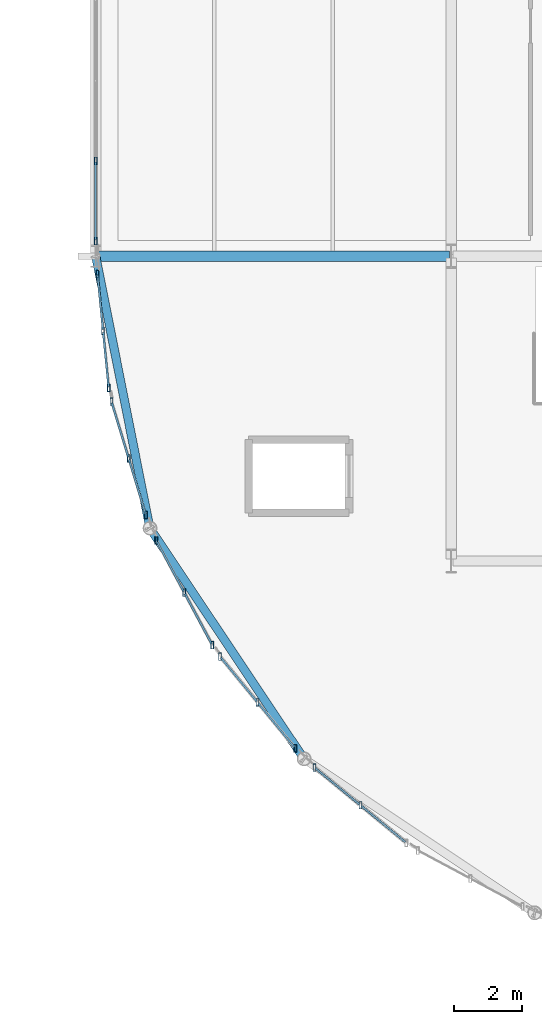
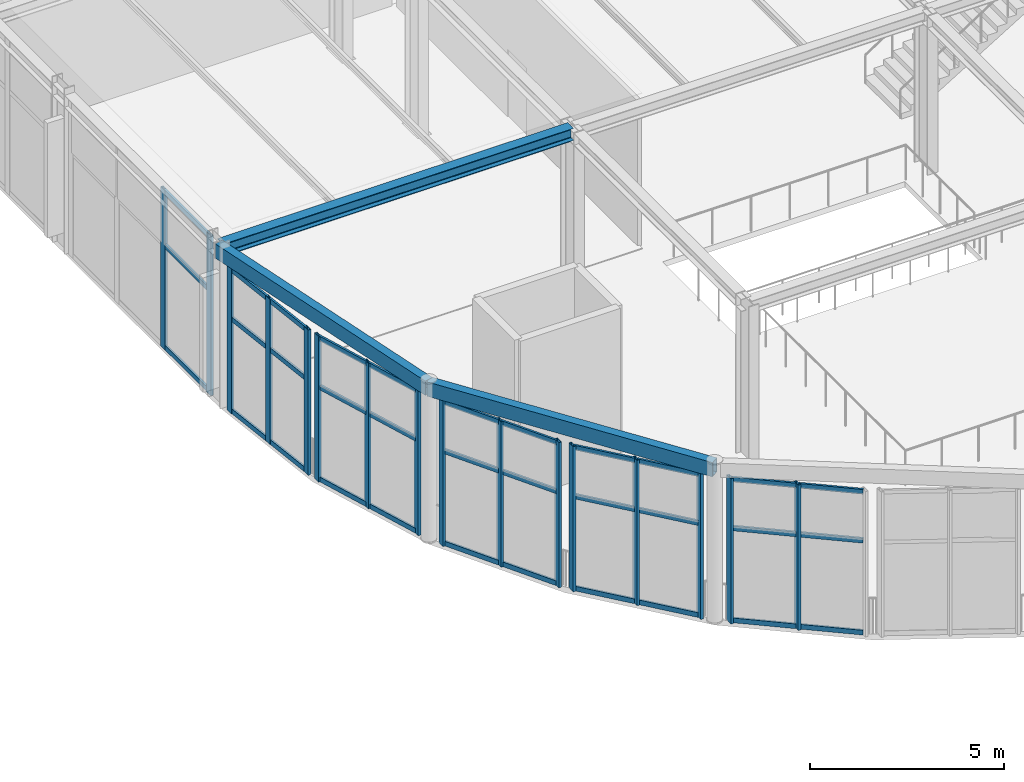
# One storey, part 21 of 195: 49 members, 3 beams, 6 elements without a shape of their own.
"""IFC4 building model written with IfcOpenShell, lengths in metres."""

from ifc_helpers import new_model, si_unit, direction, frame, origin, origin_2d, place, context, subcontext, project, spatial, hollow_rectangle, i_section, extrude, material, layer, layer_set, material_profile, profile_set, type_object, element, aggregate, save


model = new_model("IFC4")

# Units and contexts
model_context = context("Model", 3, precision=1e-05, world=origin(), true_north=direction((0.0, 1.0)))
body_context = subcontext(model_context, "Body", "Model", "MODEL_VIEW")
ifc_project = project(units=[si_unit("LENGTHUNIT", "METRE"), si_unit("AREAUNIT", "SQUARE_METRE"), si_unit("VOLUMEUNIT", "CUBIC_METRE"), si_unit("PLANEANGLEUNIT", "RADIAN"), si_unit("MASSUNIT", "GRAM", prefix="KILO")], contexts=[model_context])

# Site, building, storey
site_placement = place(None, origin())
site = spatial("IfcSite", under=ifc_project, at=site_placement, CompositionType="ELEMENT")
building_placement = place(site_placement, origin())
building = spatial("IfcBuilding", under=site, at=building_placement, Name="Marlcrest Central Station", CompositionType="ELEMENT")
storey_placement = place(building_placement, frame((0.0, 0.0, 9.800048828125)))
storey = spatial("IfcBuildingStorey", under=building, at=storey_placement, Name="L02", CompositionType="ELEMENT", Elevation=9.800048828125)

# Beam
ifc_material_1 = material(Name="Steel S355", Category="steel")
ifc_material_profile_1 = material_profile(ifc_material_1, i_section(OverallWidth=0.300048828125, OverallDepth=0.389892578125, WebThickness=0.010986328125, FlangeThickness=0.01904296875, FilletRadius=0.027099609375, at=origin_2d()), Name="HEA 400")
ifc_profile_set_1 = profile_set([ifc_material_profile_1], Name="Steel S355")
beam_type_1 = type_object("IfcBeamType", Name="BM-08", PredefinedType="BEAM", material=ifc_profile_set_1)
beam_1_placement = place(storey_placement, frame((87.050048828125, 22.5, 4.800048828125), z_axis=(1.0, 0.0, 0.0), x_axis=(0.0, 1.0, 0.0)))
element("IfcBeam", 1, at=beam_1_placement, inside=storey, type_object=beam_type_1, Name="bm-BM-08-L02-01380", PredefinedType="BEAM", context=body_context, shape_type="SweptSolid", body=[
    extrude(i_section(OverallWidth=0.300048828125, OverallDepth=0.389892578125, WebThickness=0.010986328125, FlangeThickness=0.01904296875, FilletRadius=0.027099609375, at=origin_2d()), origin(), (0.0, 0.0, 1.0), 10.39990234375),
])

# Curtain wall, members
ifc_material_2 = material(Name="Anodised aluminium and hurricane laminated glass", Category="aluminium")
ifc_layer = layer(ifc_material_2, 0.219970703125, Name="CW-U1")
ifc_layer_set = layer_set([ifc_layer], Name="Anodised aluminium and hurricane laminated glass")
curtain_wall_type = type_object("IfcCurtainWallType", Name="CW-U1", PredefinedType="USERDEFINED", material=ifc_layer_set)
curtain_wall_1_placement = place(storey_placement, origin())
curtain_wall_1 = element("IfcCurtainWall", 2, at=curtain_wall_1_placement, inside=storey, type_object=curtain_wall_type, Name="cw-L02-0025", ObjectType="UNITISED_CURTAIN_WALL", PredefinedType="USERDEFINED")
ifc_material_3 = material(Name="Anodised aluminium 6063-T6", Category="aluminium")
ifc_material_profile_2 = material_profile(ifc_material_3, hollow_rectangle(XDim=0.080078125, YDim=0.219970703125, WallThickness=0.006103515625, at=origin_2d()), Name="AA-RHS 220x80x6")
ifc_profile_set_2 = profile_set([ifc_material_profile_2], Name="Anodised aluminium 6063-T6")
member_type_1 = type_object("IfcMemberType", Name="ML-01", PredefinedType="MULLION", material=ifc_profile_set_2)
member_1_placement = place(storey_placement, frame((87.3837890625, 18.60791015625, -0.030029296875), z_axis=(0.0, 0.0, 1.0), x_axis=(1.0, 0.0, 0.0)))
member_1 = element("IfcMember", 3, at=member_1_placement, type_object=member_type_1, Name="cw-L02-0025-ml-0", PredefinedType="MULLION", context=body_context, shape_type="SweptSolid", body=[
    extrude(hollow_rectangle(XDim=0.080078125, YDim=0.219970703125, WallThickness=0.006103515625, at=origin_2d()), origin(), (0.0, 0.0, 1.0), 4.56005859375),
])
member_2_placement = place(storey_placement, frame((87.2177734375, 20.292236328125, -0.030029296875), z_axis=(0.0, 0.0, 1.0), x_axis=(1.0, 0.0, 0.0)))
member_2 = element("IfcMember", 4, at=member_2_placement, type_object=member_type_1, Name="cw-L02-0025-ml-1", PredefinedType="MULLION", context=body_context, shape_type="SweptSolid", body=[
    extrude(hollow_rectangle(XDim=0.080078125, YDim=0.219970703125, WallThickness=0.006103515625, at=origin_2d()), origin(), (0.0, 0.0, 1.0), 4.56005859375),
])
member_3_placement = place(storey_placement, frame((87.051513671875, 21.976806640625, -0.030029296875), z_axis=(0.0, 0.0, 1.0), x_axis=(1.0, 0.0, 0.0)))
member_3 = element("IfcMember", 5, at=member_3_placement, type_object=member_type_1, Name="cw-L02-0025-ml-2", PredefinedType="MULLION", context=body_context, shape_type="SweptSolid", body=[
    extrude(hollow_rectangle(XDim=0.080078125, YDim=0.219970703125, WallThickness=0.006103515625, at=origin_2d()), origin(), (0.0, 0.0, 1.0), 4.56005859375),
])

curtain_wall_2_placement = place(storey_placement, origin())
curtain_wall_2 = element("IfcCurtainWall", 6, at=curtain_wall_2_placement, inside=storey, type_object=curtain_wall_type, Name="cw-L02-0026", ObjectType="UNITISED_CURTAIN_WALL", PredefinedType="USERDEFINED")
member_4_placement = place(storey_placement, frame((88.481689453125, 14.8505859375, -0.030029296875), z_axis=(0.0, 0.0, 1.0), x_axis=(1.0, 0.0, 0.0)))
member_4 = element("IfcMember", 7, at=member_4_placement, type_object=member_type_1, Name="cw-L02-0026-ml-0", PredefinedType="MULLION", context=body_context, shape_type="SweptSolid", body=[
    extrude(hollow_rectangle(XDim=0.080078125, YDim=0.219970703125, WallThickness=0.006103515625, at=origin_2d()), origin(), (0.0, 0.0, 1.0), 4.56005859375),
])
member_5_placement = place(storey_placement, frame((87.97265625, 16.5283203125, -0.030029296875), z_axis=(0.0, 0.0, 1.0), x_axis=(1.0, 0.0, 0.0)))
member_5 = element("IfcMember", 8, at=member_5_placement, type_object=member_type_1, Name="cw-L02-0026-ml-1", PredefinedType="MULLION", context=body_context, shape_type="SweptSolid", body=[
    extrude(hollow_rectangle(XDim=0.080078125, YDim=0.219970703125, WallThickness=0.006103515625, at=origin_2d()), origin(), (0.0, 0.0, 1.0), 4.56005859375),
])
member_6_placement = place(storey_placement, frame((87.463623046875, 18.2060546875, -0.030029296875), z_axis=(0.0, 0.0, 1.0), x_axis=(1.0, 0.0, 0.0)))
member_6 = element("IfcMember", 9, at=member_6_placement, type_object=member_type_1, Name="cw-L02-0026-ml-2", PredefinedType="MULLION", context=body_context, shape_type="SweptSolid", body=[
    extrude(hollow_rectangle(XDim=0.080078125, YDim=0.219970703125, WallThickness=0.006103515625, at=origin_2d()), origin(), (0.0, 0.0, 1.0), 4.56005859375),
])

curtain_wall_3_placement = place(storey_placement, origin())
curtain_wall_3 = element("IfcCurtainWall", 10, at=curtain_wall_3_placement, inside=storey, type_object=curtain_wall_type, Name="cw-L02-0027", ObjectType="UNITISED_CURTAIN_WALL", PredefinedType="USERDEFINED")
member_7_placement = place(storey_placement, frame((90.44189453125, 11.014404296875, -0.030029296875), z_axis=(0.0, 0.0, 1.0), x_axis=(1.0, 0.0, 0.0)))
member_7 = element("IfcMember", 11, at=member_7_placement, type_object=member_type_1, Name="cw-L02-0027-ml-0", PredefinedType="MULLION", context=body_context, shape_type="SweptSolid", body=[
    extrude(hollow_rectangle(XDim=0.080078125, YDim=0.219970703125, WallThickness=0.006103515625, at=origin_2d()), origin(), (0.0, 0.0, 1.0), 4.56005859375),
])
member_8_placement = place(storey_placement, frame((89.61572265625, 12.56103515625, -0.030029296875), z_axis=(0.0, 0.0, 1.0), x_axis=(1.0, 0.0, 0.0)))
member_8 = element("IfcMember", 12, at=member_8_placement, type_object=member_type_1, Name="cw-L02-0027-ml-1", PredefinedType="MULLION", context=body_context, shape_type="SweptSolid", body=[
    extrude(hollow_rectangle(XDim=0.080078125, YDim=0.219970703125, WallThickness=0.006103515625, at=origin_2d()), origin(), (0.0, 0.0, 1.0), 4.56005859375),
])
member_9_placement = place(storey_placement, frame((88.789306640625, 14.107666015625, -0.030029296875), z_axis=(0.0, 0.0, 1.0), x_axis=(1.0, 0.0, 0.0)))
member_9 = element("IfcMember", 13, at=member_9_placement, type_object=member_type_1, Name="cw-L02-0027-ml-2", PredefinedType="MULLION", context=body_context, shape_type="SweptSolid", body=[
    extrude(hollow_rectangle(XDim=0.080078125, YDim=0.219970703125, WallThickness=0.006103515625, at=origin_2d()), origin(), (0.0, 0.0, 1.0), 4.56005859375),
])

curtain_wall_4_placement = place(storey_placement, origin())
curtain_wall_4 = element("IfcCurtainWall", 14, at=curtain_wall_4_placement, inside=storey, type_object=curtain_wall_type, Name="cw-L02-0028", ObjectType="UNITISED_CURTAIN_WALL", PredefinedType="USERDEFINED")
member_10_placement = place(storey_placement, frame((92.89453125, 7.96337890625, -0.030029296875), z_axis=(0.0, 0.0, 1.0), x_axis=(1.0, 0.0, 0.0)))
member_10 = element("IfcMember", 15, at=member_10_placement, type_object=member_type_1, Name="cw-L02-0028-ml-0", PredefinedType="MULLION", context=body_context, shape_type="SweptSolid", body=[
    extrude(hollow_rectangle(XDim=0.080078125, YDim=0.219970703125, WallThickness=0.006103515625, at=origin_2d()), origin(), (0.0, 0.0, 1.0), 4.56005859375),
])
member_11_placement = place(storey_placement, frame((91.781982421875, 9.318603515625, -0.030029296875), z_axis=(0.0, 0.0, 1.0), x_axis=(1.0, 0.0, 0.0)))
member_11 = element("IfcMember", 16, at=member_11_placement, type_object=member_type_1, Name="cw-L02-0028-ml-1", PredefinedType="MULLION", context=body_context, shape_type="SweptSolid", body=[
    extrude(hollow_rectangle(XDim=0.080078125, YDim=0.219970703125, WallThickness=0.006103515625, at=origin_2d()), origin(), (0.0, 0.0, 1.0), 4.56005859375),
])
member_12_placement = place(storey_placement, frame((90.669677734375, 10.673828125, -0.030029296875), z_axis=(0.0, 0.0, 1.0), x_axis=(1.0, 0.0, 0.0)))
member_12 = element("IfcMember", 17, at=member_12_placement, type_object=member_type_1, Name="cw-L02-0028-ml-2", PredefinedType="MULLION", context=body_context, shape_type="SweptSolid", body=[
    extrude(hollow_rectangle(XDim=0.080078125, YDim=0.219970703125, WallThickness=0.006103515625, at=origin_2d()), origin(), (0.0, 0.0, 1.0), 4.56005859375),
])

curtain_wall_5_placement = place(storey_placement, origin())
curtain_wall_5 = element("IfcCurtainWall", 18, at=curtain_wall_5_placement, inside=storey, type_object=curtain_wall_type, Name="cw-L02-0029", ObjectType="UNITISED_CURTAIN_WALL", PredefinedType="USERDEFINED")
member_13_placement = place(storey_placement, frame((94.818603515625, 6.281982421875, -0.030029296875), z_axis=(0.0, 0.0, 1.0), x_axis=(1.0, 0.0, 0.0)))
member_13 = element("IfcMember", 19, at=member_13_placement, type_object=member_type_1, Name="cw-L02-0029-ml-1", PredefinedType="MULLION", context=body_context, shape_type="SweptSolid", body=[
    extrude(hollow_rectangle(XDim=0.080078125, YDim=0.219970703125, WallThickness=0.006103515625, at=origin_2d()), origin(), (0.0, 0.0, 1.0), 4.56005859375),
])
member_14_placement = place(storey_placement, frame((93.46337890625, 7.39453125, -0.030029296875), z_axis=(0.0, 0.0, 1.0), x_axis=(1.0, 0.0, 0.0)))
member_14 = element("IfcMember", 20, at=member_14_placement, type_object=member_type_1, Name="cw-L02-0029-ml-2", PredefinedType="MULLION", context=body_context, shape_type="SweptSolid", body=[
    extrude(hollow_rectangle(XDim=0.080078125, YDim=0.219970703125, WallThickness=0.006103515625, at=origin_2d()), origin(), (0.0, 0.0, 1.0), 4.56005859375),
])

curtain_wall_6_placement = place(storey_placement, origin())
curtain_wall_6 = element("IfcCurtainWall", 21, at=curtain_wall_6_placement, inside=storey, type_object=curtain_wall_type, Name="cw-L02-0099", ObjectType="UNITISED_CURTAIN_WALL", PredefinedType="USERDEFINED")
member_15_placement = place(storey_placement, frame((87.0, 22.949951171875, -0.030029296875), z_axis=(0.0, 0.0, 1.0), x_axis=(1.0, 0.0, 0.0)))
member_15 = element("IfcMember", 22, at=member_15_placement, type_object=member_type_1, Name="cw-L02-0099-ml-0", PredefinedType="MULLION", context=body_context, shape_type="SweptSolid", body=[
    extrude(hollow_rectangle(XDim=0.080078125, YDim=0.219970703125, WallThickness=0.006103515625, at=origin_2d()), origin(), (0.0, 0.0, 1.0), 5.010009765625),
])
member_16_placement = place(storey_placement, frame((87.0, 25.316650390625, -0.030029296875), z_axis=(0.0, 0.0, 1.0), x_axis=(1.0, 0.0, 0.0)))
member_16 = element("IfcMember", 23, at=member_16_placement, type_object=member_type_1, Name="cw-L02-0099-ml-1", PredefinedType="MULLION", context=body_context, shape_type="SweptSolid", body=[
    extrude(hollow_rectangle(XDim=0.080078125, YDim=0.219970703125, WallThickness=0.006103515625, at=origin_2d()), origin(), (0.0, 0.0, 1.0), 5.010009765625),
])

# Beams
ifc_material_profile_3 = material_profile(ifc_material_1, hollow_rectangle(XDim=0.25, YDim=0.449951171875, WallThickness=0.01611328125, at=origin_2d()), Name="RHS 450x250x16")
ifc_profile_set_3 = profile_set([ifc_material_profile_3], Name="Steel S355")
beam_type_2 = type_object("IfcBeamType", Name="SP-02", PredefinedType="SPANDREL", material=ifc_profile_set_3)
beam_2_placement = place(storey_placement, frame((87.0, 22.5, 4.77001953125), z_axis=(0.19517056122, -0.980769316421, 0.0), x_axis=(0.980769316421, 0.19517056122, 0.0)))
element("IfcBeam", 24, at=beam_2_placement, inside=storey, type_object=beam_type_2, Name="bm-SP-02-L02-01370", PredefinedType="SPANDREL", context=body_context, shape_type="SweptSolid", body=[
    extrude(hollow_rectangle(XDim=0.25, YDim=0.449951171875, WallThickness=0.01611328125, at=origin_2d()), origin(), (0.0, 0.0, 1.0), 8.193359375),
])
beam_3_placement = place(storey_placement, frame((88.59912109375, 14.464111328125, 4.77001953125), z_axis=(0.55551129271, -0.831508991937, 0.0), x_axis=(0.831508991937, 0.55551129271, 0.0)))
element("IfcBeam", 25, at=beam_3_placement, inside=storey, type_object=beam_type_2, Name="bm-SP-02-L02-01371", PredefinedType="SPANDREL", context=body_context, shape_type="SweptSolid", body=[
    extrude(hollow_rectangle(XDim=0.25, YDim=0.449951171875, WallThickness=0.01611328125, at=origin_2d()), origin(), (0.0, 0.0, 1.0), 8.19384765625),
])

# Member
ifc_material_profile_4 = material_profile(ifc_material_3, hollow_rectangle(XDim=0.06005859375, YDim=0.14990234375, WallThickness=0.00390625, at=origin_2d()), Name="AA-RHS 150x60x4")
ifc_profile_set_4 = profile_set([ifc_material_profile_4], Name="Anodised aluminium 6063-T6")
member_type_2 = type_object("IfcMemberType", Name="TR-01", PredefinedType="USERDEFINED", material=ifc_profile_set_4)
member_17_placement = place(storey_placement, frame((87.380126953125, 18.645751953125, 0.0400390625), z_axis=(-0.098172727839, 0.99516939036, 0.0), x_axis=(-0.99516939036, -0.098172727839, 0.0)))
member_17 = element("IfcMember", 26, at=member_17_placement, type_object=member_type_2, Name="cw-L02-0025-tr-0-sill", ObjectType="TRANSOM", PredefinedType="USERDEFINED", context=body_context, shape_type="SweptSolid", body=[
    extrude(hollow_rectangle(XDim=0.06005859375, YDim=0.14990234375, WallThickness=0.00390625, at=origin_2d()), origin(), (0.0, 0.0, 1.0), 1.616455078125),
])

member_18_placement = place(storey_placement, frame((87.380126953125, 18.645751953125, 2.925048828125), z_axis=(-0.098172727839, 0.99516939036, 0.0), x_axis=(-0.99516939036, -0.098172727839, 0.0)))
member_18 = element("IfcMember", 27, at=member_18_placement, type_object=member_type_2, Name="cw-L02-0025-tr-0-mid", ObjectType="TRANSOM", PredefinedType="USERDEFINED", context=body_context, shape_type="SweptSolid", body=[
    extrude(hollow_rectangle(XDim=0.06005859375, YDim=0.14990234375, WallThickness=0.00390625, at=origin_2d()), origin(), (0.0, 0.0, 1.0), 1.616455078125),
])

member_19_placement = place(storey_placement, frame((87.380126953125, 18.645751953125, 4.4599609375), z_axis=(-0.098172727839, 0.99516939036, 0.0), x_axis=(-0.99516939036, -0.098172727839, 0.0)))
member_19 = element("IfcMember", 28, at=member_19_placement, type_object=member_type_2, Name="cw-L02-0025-tr-0-head", ObjectType="TRANSOM", PredefinedType="USERDEFINED", context=body_context, shape_type="SweptSolid", body=[
    extrude(hollow_rectangle(XDim=0.06005859375, YDim=0.14990234375, WallThickness=0.00390625, at=origin_2d()), origin(), (0.0, 0.0, 1.0), 1.616455078125),
])

member_20_placement = place(storey_placement, frame((87.214111328125, 20.330078125, 0.0400390625), z_axis=(-0.098157974157, 0.995170845689, 0.0), x_axis=(-0.995170845689, -0.098157974157, 0.0)))
member_20 = element("IfcMember", 29, at=member_20_placement, type_object=member_type_2, Name="cw-L02-0025-tr-1-sill", ObjectType="TRANSOM", PredefinedType="USERDEFINED", context=body_context, shape_type="SweptSolid", body=[
    extrude(hollow_rectangle(XDim=0.06005859375, YDim=0.14990234375, WallThickness=0.00390625, at=origin_2d()), origin(), (0.0, 0.0, 1.0), 1.61669921875),
])

member_21_placement = place(storey_placement, frame((87.214111328125, 20.330078125, 2.925048828125), z_axis=(-0.098157974157, 0.995170845689, 0.0), x_axis=(-0.995170845689, -0.098157974157, 0.0)))
member_21 = element("IfcMember", 30, at=member_21_placement, type_object=member_type_2, Name="cw-L02-0025-tr-1-mid", ObjectType="TRANSOM", PredefinedType="USERDEFINED", context=body_context, shape_type="SweptSolid", body=[
    extrude(hollow_rectangle(XDim=0.06005859375, YDim=0.14990234375, WallThickness=0.00390625, at=origin_2d()), origin(), (0.0, 0.0, 1.0), 1.61669921875),
])

member_22_placement = place(storey_placement, frame((87.214111328125, 20.330078125, 4.4599609375), z_axis=(-0.098157974157, 0.995170845689, 0.0), x_axis=(-0.995170845689, -0.098157974157, 0.0)))
member_22 = element("IfcMember", 31, at=member_22_placement, type_object=member_type_2, Name="cw-L02-0025-tr-1-head", ObjectType="TRANSOM", PredefinedType="USERDEFINED", context=body_context, shape_type="SweptSolid", body=[
    extrude(hollow_rectangle(XDim=0.06005859375, YDim=0.14990234375, WallThickness=0.00390625, at=origin_2d()), origin(), (0.0, 0.0, 1.0), 1.61669921875),
])

aggregate(curtain_wall_1, [member_1, member_2, member_3, member_17, member_18, member_19, member_20, member_21, member_22])

member_23_placement = place(storey_placement, frame((88.470703125, 14.886962890625, 0.0400390625), z_axis=(-0.29025787087, 0.95694846695, 0.0), x_axis=(-0.95694846695, -0.29025787087, 0.0)))
member_23 = element("IfcMember", 32, at=member_23_placement, type_object=member_type_2, Name="cw-L02-0026-tr-0-sill", ObjectType="TRANSOM", PredefinedType="USERDEFINED", context=body_context, shape_type="SweptSolid", body=[
    extrude(hollow_rectangle(XDim=0.06005859375, YDim=0.14990234375, WallThickness=0.00390625, at=origin_2d()), origin(), (0.0, 0.0, 1.0), 1.67724609375),
])

member_24_placement = place(storey_placement, frame((88.470703125, 14.886962890625, 2.925048828125), z_axis=(-0.29025787087, 0.95694846695, 0.0), x_axis=(-0.95694846695, -0.29025787087, 0.0)))
member_24 = element("IfcMember", 33, at=member_24_placement, type_object=member_type_2, Name="cw-L02-0026-tr-0-mid", ObjectType="TRANSOM", PredefinedType="USERDEFINED", context=body_context, shape_type="SweptSolid", body=[
    extrude(hollow_rectangle(XDim=0.06005859375, YDim=0.14990234375, WallThickness=0.00390625, at=origin_2d()), origin(), (0.0, 0.0, 1.0), 1.67724609375),
])

member_25_placement = place(storey_placement, frame((88.470703125, 14.886962890625, 4.4599609375), z_axis=(-0.29025787087, 0.95694846695, 0.0), x_axis=(-0.95694846695, -0.29025787087, 0.0)))
member_25 = element("IfcMember", 34, at=member_25_placement, type_object=member_type_2, Name="cw-L02-0026-tr-0-head", ObjectType="TRANSOM", PredefinedType="USERDEFINED", context=body_context, shape_type="SweptSolid", body=[
    extrude(hollow_rectangle(XDim=0.06005859375, YDim=0.14990234375, WallThickness=0.00390625, at=origin_2d()), origin(), (0.0, 0.0, 1.0), 1.67724609375),
])

member_26_placement = place(storey_placement, frame((87.961669921875, 16.564697265625, 0.0400390625), z_axis=(-0.29025787087, 0.95694846695, 0.0), x_axis=(-0.95694846695, -0.29025787087, 0.0)))
member_26 = element("IfcMember", 35, at=member_26_placement, type_object=member_type_2, Name="cw-L02-0026-tr-1-sill", ObjectType="TRANSOM", PredefinedType="USERDEFINED", context=body_context, shape_type="SweptSolid", body=[
    extrude(hollow_rectangle(XDim=0.06005859375, YDim=0.14990234375, WallThickness=0.00390625, at=origin_2d()), origin(), (0.0, 0.0, 1.0), 1.67724609375),
])

member_27_placement = place(storey_placement, frame((87.961669921875, 16.564697265625, 2.925048828125), z_axis=(-0.29025787087, 0.95694846695, 0.0), x_axis=(-0.95694846695, -0.29025787087, 0.0)))
member_27 = element("IfcMember", 36, at=member_27_placement, type_object=member_type_2, Name="cw-L02-0026-tr-1-mid", ObjectType="TRANSOM", PredefinedType="USERDEFINED", context=body_context, shape_type="SweptSolid", body=[
    extrude(hollow_rectangle(XDim=0.06005859375, YDim=0.14990234375, WallThickness=0.00390625, at=origin_2d()), origin(), (0.0, 0.0, 1.0), 1.67724609375),
])

member_28_placement = place(storey_placement, frame((87.961669921875, 16.564697265625, 4.4599609375), z_axis=(-0.29025787087, 0.95694846695, 0.0), x_axis=(-0.95694846695, -0.29025787087, 0.0)))
member_28 = element("IfcMember", 37, at=member_28_placement, type_object=member_type_2, Name="cw-L02-0026-tr-1-head", ObjectType="TRANSOM", PredefinedType="USERDEFINED", context=body_context, shape_type="SweptSolid", body=[
    extrude(hollow_rectangle(XDim=0.06005859375, YDim=0.14990234375, WallThickness=0.00390625, at=origin_2d()), origin(), (0.0, 0.0, 1.0), 1.67724609375),
])

aggregate(curtain_wall_2, [member_4, member_5, member_6, member_23, member_24, member_25, member_26, member_27, member_28])

member_29_placement = place(storey_placement, frame((90.424072265625, 11.048095703125, 0.0400390625), z_axis=(-0.47126796736, 0.881990080976, 0.0), x_axis=(-0.881990080976, -0.47126796736, 0.0)))
member_29 = element("IfcMember", 38, at=member_29_placement, type_object=member_type_2, Name="cw-L02-0027-tr-0-sill", ObjectType="TRANSOM", PredefinedType="USERDEFINED", context=body_context, shape_type="SweptSolid", body=[
    extrude(hollow_rectangle(XDim=0.06005859375, YDim=0.14990234375, WallThickness=0.00390625, at=origin_2d()), origin(), (0.0, 0.0, 1.0), 1.677490234375),
])

member_30_placement = place(storey_placement, frame((90.424072265625, 11.048095703125, 2.925048828125), z_axis=(-0.47126796736, 0.881990080976, 0.0), x_axis=(-0.881990080976, -0.47126796736, 0.0)))
member_30 = element("IfcMember", 39, at=member_30_placement, type_object=member_type_2, Name="cw-L02-0027-tr-0-mid", ObjectType="TRANSOM", PredefinedType="USERDEFINED", context=body_context, shape_type="SweptSolid", body=[
    extrude(hollow_rectangle(XDim=0.06005859375, YDim=0.14990234375, WallThickness=0.00390625, at=origin_2d()), origin(), (0.0, 0.0, 1.0), 1.677490234375),
])

member_31_placement = place(storey_placement, frame((90.424072265625, 11.048095703125, 4.4599609375), z_axis=(-0.47126796736, 0.881990080976, 0.0), x_axis=(-0.881990080976, -0.47126796736, 0.0)))
member_31 = element("IfcMember", 40, at=member_31_placement, type_object=member_type_2, Name="cw-L02-0027-tr-0-head", ObjectType="TRANSOM", PredefinedType="USERDEFINED", context=body_context, shape_type="SweptSolid", body=[
    extrude(hollow_rectangle(XDim=0.06005859375, YDim=0.14990234375, WallThickness=0.00390625, at=origin_2d()), origin(), (0.0, 0.0, 1.0), 1.677490234375),
])

member_32_placement = place(storey_placement, frame((89.597900390625, 12.594482421875, 0.0400390625), z_axis=(-0.471207478568, 0.882022398889, 0.0), x_axis=(-0.882022398889, -0.471207478568, 0.0)))
member_32 = element("IfcMember", 41, at=member_32_placement, type_object=member_type_2, Name="cw-L02-0027-tr-1-sill", ObjectType="TRANSOM", PredefinedType="USERDEFINED", context=body_context, shape_type="SweptSolid", body=[
    extrude(hollow_rectangle(XDim=0.06005859375, YDim=0.14990234375, WallThickness=0.00390625, at=origin_2d()), origin(), (0.0, 0.0, 1.0), 1.677734375),
])

member_33_placement = place(storey_placement, frame((89.597900390625, 12.594482421875, 2.925048828125), z_axis=(-0.471207478568, 0.882022398889, 0.0), x_axis=(-0.882022398889, -0.471207478568, 0.0)))
member_33 = element("IfcMember", 42, at=member_33_placement, type_object=member_type_2, Name="cw-L02-0027-tr-1-mid", ObjectType="TRANSOM", PredefinedType="USERDEFINED", context=body_context, shape_type="SweptSolid", body=[
    extrude(hollow_rectangle(XDim=0.06005859375, YDim=0.14990234375, WallThickness=0.00390625, at=origin_2d()), origin(), (0.0, 0.0, 1.0), 1.677734375),
])

member_34_placement = place(storey_placement, frame((89.597900390625, 12.594482421875, 4.4599609375), z_axis=(-0.471207478568, 0.882022398889, 0.0), x_axis=(-0.882022398889, -0.471207478568, 0.0)))
member_34 = element("IfcMember", 43, at=member_34_placement, type_object=member_type_2, Name="cw-L02-0027-tr-1-head", ObjectType="TRANSOM", PredefinedType="USERDEFINED", context=body_context, shape_type="SweptSolid", body=[
    extrude(hollow_rectangle(XDim=0.06005859375, YDim=0.14990234375, WallThickness=0.00390625, at=origin_2d()), origin(), (0.0, 0.0, 1.0), 1.677734375),
])

aggregate(curtain_wall_3, [member_7, member_8, member_9, member_29, member_30, member_31, member_32, member_33, member_34])

member_35_placement = place(storey_placement, frame((92.87060546875, 7.99267578125, 0.0400390625), z_axis=(-0.634512842936, 0.772912318539, 0.0), x_axis=(-0.772912318539, -0.634512842936, 0.0)))
member_35 = element("IfcMember", 44, at=member_35_placement, type_object=member_type_2, Name="cw-L02-0028-tr-0-sill", ObjectType="TRANSOM", PredefinedType="USERDEFINED", context=body_context, shape_type="SweptSolid", body=[
    extrude(hollow_rectangle(XDim=0.06005859375, YDim=0.14990234375, WallThickness=0.00390625, at=origin_2d()), origin(), (0.0, 0.0, 1.0), 1.677490234375),
])

member_36_placement = place(storey_placement, frame((92.87060546875, 7.99267578125, 2.925048828125), z_axis=(-0.634512842936, 0.772912318539, 0.0), x_axis=(-0.772912318539, -0.634512842936, 0.0)))
member_36 = element("IfcMember", 45, at=member_36_placement, type_object=member_type_2, Name="cw-L02-0028-tr-0-mid", ObjectType="TRANSOM", PredefinedType="USERDEFINED", context=body_context, shape_type="SweptSolid", body=[
    extrude(hollow_rectangle(XDim=0.06005859375, YDim=0.14990234375, WallThickness=0.00390625, at=origin_2d()), origin(), (0.0, 0.0, 1.0), 1.677490234375),
])

member_37_placement = place(storey_placement, frame((92.87060546875, 7.99267578125, 4.4599609375), z_axis=(-0.634512842936, 0.772912318539, 0.0), x_axis=(-0.772912318539, -0.634512842936, 0.0)))
member_37 = element("IfcMember", 46, at=member_37_placement, type_object=member_type_2, Name="cw-L02-0028-tr-0-head", ObjectType="TRANSOM", PredefinedType="USERDEFINED", context=body_context, shape_type="SweptSolid", body=[
    extrude(hollow_rectangle(XDim=0.06005859375, YDim=0.14990234375, WallThickness=0.00390625, at=origin_2d()), origin(), (0.0, 0.0, 1.0), 1.677490234375),
])

member_38_placement = place(storey_placement, frame((91.758056640625, 9.347900390625, 0.0400390625), z_axis=(-0.634512842936, 0.772912318539, 0.0), x_axis=(-0.772912318539, -0.634512842936, 0.0)))
member_38 = element("IfcMember", 47, at=member_38_placement, type_object=member_type_2, Name="cw-L02-0028-tr-1-sill", ObjectType="TRANSOM", PredefinedType="USERDEFINED", context=body_context, shape_type="SweptSolid", body=[
    extrude(hollow_rectangle(XDim=0.06005859375, YDim=0.14990234375, WallThickness=0.00390625, at=origin_2d()), origin(), (0.0, 0.0, 1.0), 1.677490234375),
])

member_39_placement = place(storey_placement, frame((91.758056640625, 9.347900390625, 2.925048828125), z_axis=(-0.634512842936, 0.772912318539, 0.0), x_axis=(-0.772912318539, -0.634512842936, 0.0)))
member_39 = element("IfcMember", 48, at=member_39_placement, type_object=member_type_2, Name="cw-L02-0028-tr-1-mid", ObjectType="TRANSOM", PredefinedType="USERDEFINED", context=body_context, shape_type="SweptSolid", body=[
    extrude(hollow_rectangle(XDim=0.06005859375, YDim=0.14990234375, WallThickness=0.00390625, at=origin_2d()), origin(), (0.0, 0.0, 1.0), 1.677490234375),
])

member_40_placement = place(storey_placement, frame((91.758056640625, 9.347900390625, 4.4599609375), z_axis=(-0.634512842936, 0.772912318539, 0.0), x_axis=(-0.772912318539, -0.634512842936, 0.0)))
member_40 = element("IfcMember", 49, at=member_40_placement, type_object=member_type_2, Name="cw-L02-0028-tr-1-head", ObjectType="TRANSOM", PredefinedType="USERDEFINED", context=body_context, shape_type="SweptSolid", body=[
    extrude(hollow_rectangle(XDim=0.06005859375, YDim=0.14990234375, WallThickness=0.00390625, at=origin_2d()), origin(), (0.0, 0.0, 1.0), 1.677490234375),
])

aggregate(curtain_wall_4, [member_10, member_11, member_12, member_35, member_36, member_37, member_38, member_39, member_40])

member_41_placement = place(storey_placement, frame((96.14453125, 5.193603515625, 0.0400390625), z_axis=(-0.772912318539, 0.634512842936, 0.0), x_axis=(-0.634512842936, -0.772912318539, 0.0)))
member_41 = element("IfcMember", 50, at=member_41_placement, type_object=member_type_2, Name="cw-L02-0029-tr-0-sill", ObjectType="TRANSOM", PredefinedType="USERDEFINED", context=body_context, shape_type="SweptSolid", body=[
    extrude(hollow_rectangle(XDim=0.06005859375, YDim=0.14990234375, WallThickness=0.00390625, at=origin_2d()), origin(), (0.0, 0.0, 1.0), 1.677490234375),
])

member_42_placement = place(storey_placement, frame((96.14453125, 5.193603515625, 2.925048828125), z_axis=(-0.772912318539, 0.634512842936, 0.0), x_axis=(-0.634512842936, -0.772912318539, 0.0)))
member_42 = element("IfcMember", 51, at=member_42_placement, type_object=member_type_2, Name="cw-L02-0029-tr-0-mid", ObjectType="TRANSOM", PredefinedType="USERDEFINED", context=body_context, shape_type="SweptSolid", body=[
    extrude(hollow_rectangle(XDim=0.06005859375, YDim=0.14990234375, WallThickness=0.00390625, at=origin_2d()), origin(), (0.0, 0.0, 1.0), 1.677490234375),
])

member_43_placement = place(storey_placement, frame((96.14453125, 5.193603515625, 4.4599609375), z_axis=(-0.772912318539, 0.634512842936, 0.0), x_axis=(-0.634512842936, -0.772912318539, 0.0)))
member_43 = element("IfcMember", 52, at=member_43_placement, type_object=member_type_2, Name="cw-L02-0029-tr-0-head", ObjectType="TRANSOM", PredefinedType="USERDEFINED", context=body_context, shape_type="SweptSolid", body=[
    extrude(hollow_rectangle(XDim=0.06005859375, YDim=0.14990234375, WallThickness=0.00390625, at=origin_2d()), origin(), (0.0, 0.0, 1.0), 1.677490234375),
])

member_44_placement = place(storey_placement, frame((94.789306640625, 6.30615234375, 0.0400390625), z_axis=(-0.772912318539, 0.634512842936, 0.0), x_axis=(-0.634512842936, -0.772912318539, 0.0)))
member_44 = element("IfcMember", 53, at=member_44_placement, type_object=member_type_2, Name="cw-L02-0029-tr-1-sill", ObjectType="TRANSOM", PredefinedType="USERDEFINED", context=body_context, shape_type="SweptSolid", body=[
    extrude(hollow_rectangle(XDim=0.06005859375, YDim=0.14990234375, WallThickness=0.00390625, at=origin_2d()), origin(), (0.0, 0.0, 1.0), 1.677490234375),
])

member_45_placement = place(storey_placement, frame((94.789306640625, 6.30615234375, 2.925048828125), z_axis=(-0.772912318539, 0.634512842936, 0.0), x_axis=(-0.634512842936, -0.772912318539, 0.0)))
member_45 = element("IfcMember", 54, at=member_45_placement, type_object=member_type_2, Name="cw-L02-0029-tr-1-mid", ObjectType="TRANSOM", PredefinedType="USERDEFINED", context=body_context, shape_type="SweptSolid", body=[
    extrude(hollow_rectangle(XDim=0.06005859375, YDim=0.14990234375, WallThickness=0.00390625, at=origin_2d()), origin(), (0.0, 0.0, 1.0), 1.677490234375),
])

member_46_placement = place(storey_placement, frame((94.789306640625, 6.30615234375, 4.4599609375), z_axis=(-0.772912318539, 0.634512842936, 0.0), x_axis=(-0.634512842936, -0.772912318539, 0.0)))
member_46 = element("IfcMember", 55, at=member_46_placement, type_object=member_type_2, Name="cw-L02-0029-tr-1-head", ObjectType="TRANSOM", PredefinedType="USERDEFINED", context=body_context, shape_type="SweptSolid", body=[
    extrude(hollow_rectangle(XDim=0.06005859375, YDim=0.14990234375, WallThickness=0.00390625, at=origin_2d()), origin(), (0.0, 0.0, 1.0), 1.677490234375),
])

aggregate(curtain_wall_5, [member_13, member_14, member_41, member_42, member_43, member_44, member_45, member_46])

member_47_placement = place(storey_placement, frame((87.0, 22.988037109375, 0.0400390625), z_axis=(0.0, 1.0, 0.0), x_axis=(-1.0, 0.0, 0.0)))
member_47 = element("IfcMember", 56, at=member_47_placement, type_object=member_type_2, Name="cw-L02-0099-tr-0-sill", ObjectType="TRANSOM", PredefinedType="USERDEFINED", context=body_context, shape_type="SweptSolid", body=[
    extrude(hollow_rectangle(XDim=0.06005859375, YDim=0.14990234375, WallThickness=0.00390625, at=origin_2d()), origin(), (0.0, 0.0, 1.0), 2.290771484375),
])

member_48_placement = place(storey_placement, frame((87.0, 22.988037109375, 3.218017578125), z_axis=(0.0, 1.0, 0.0), x_axis=(-1.0, 0.0, 0.0)))
member_48 = element("IfcMember", 57, at=member_48_placement, type_object=member_type_2, Name="cw-L02-0099-tr-0-mid", ObjectType="TRANSOM", PredefinedType="USERDEFINED", context=body_context, shape_type="SweptSolid", body=[
    extrude(hollow_rectangle(XDim=0.06005859375, YDim=0.14990234375, WallThickness=0.00390625, at=origin_2d()), origin(), (0.0, 0.0, 1.0), 2.290771484375),
])

member_49_placement = place(storey_placement, frame((87.0, 22.988037109375, 4.909912109375), z_axis=(0.0, 1.0, 0.0), x_axis=(-1.0, 0.0, 0.0)))
member_49 = element("IfcMember", 58, at=member_49_placement, type_object=member_type_2, Name="cw-L02-0099-tr-0-head", ObjectType="TRANSOM", PredefinedType="USERDEFINED", context=body_context, shape_type="SweptSolid", body=[
    extrude(hollow_rectangle(XDim=0.06005859375, YDim=0.14990234375, WallThickness=0.00390625, at=origin_2d()), origin(), (0.0, 0.0, 1.0), 2.290771484375),
])

aggregate(curtain_wall_6, [member_15, member_16, member_47, member_48, member_49])

save(model, "model.ifc")
